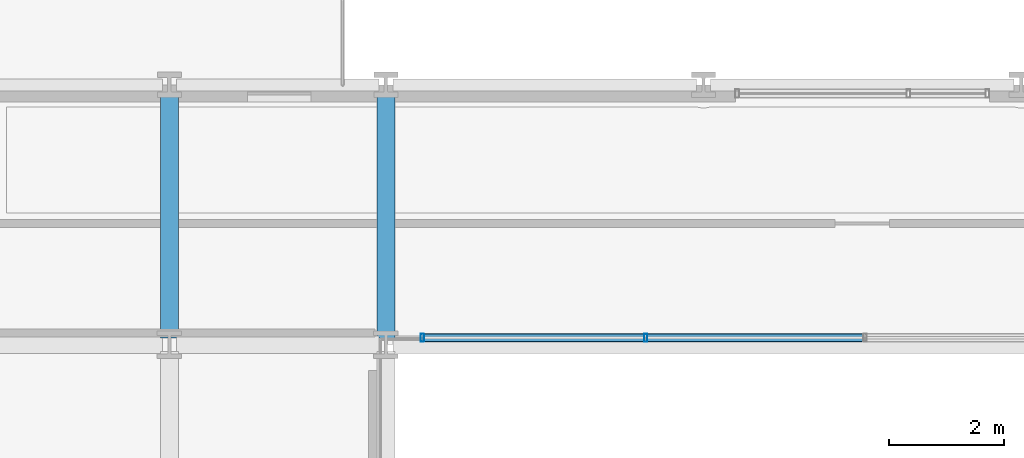
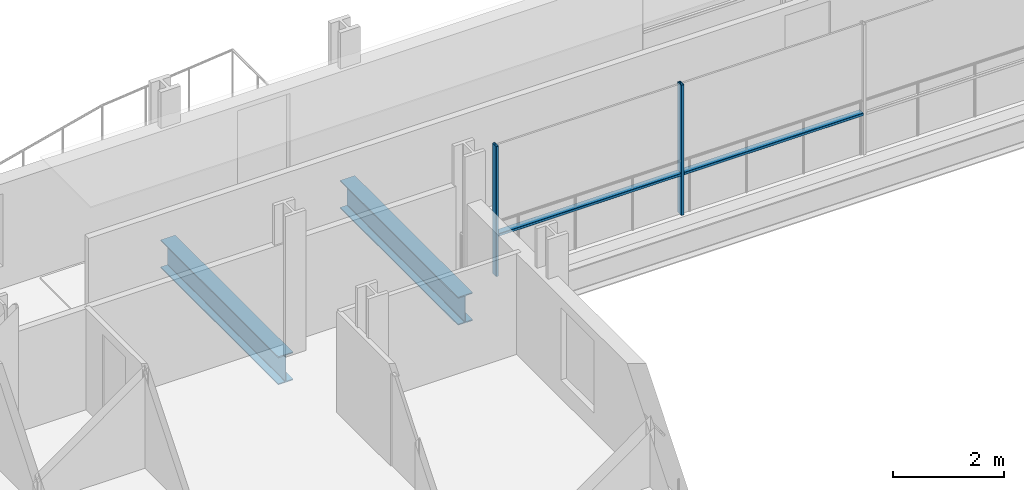
# One storey, part 9 of 41: 4 members, 2 beams, 1 element without a shape of its own.
"""IFC4 building model written with IfcOpenShell, lengths in metres."""

import ifcopenshell
import ifcopenshell.guid

model = None  # the IFC model being written
_history = None  # IfcOwnerHistory: only IFC2X3 demands one
_inside = {}  # id of a spatial element -> (the spatial element, [elements in it])
_under = {}  # id of a project, library or spatial element -> (it, [spatial elements below it])
_declared = {}  # id of a project -> (the project, [libraries it declares])
_typed = {}  # id of a type object -> (the type object, [elements of that type])
_made_of = {}  # id of a material, layer set ... -> (it, [elements and type objects made of it])


def new_model(schema):
    """Start an empty IFC model of exactly this schema.

    Asked for "IFC4X3", IfcOpenShell would pick the latest addendum, in which some entities
    have other attributes; the version numbers below select the first issue.
    IFC2X3 requires an IfcOwnerHistory on every rooted entity: one is made here for all.
    """
    global model, _history
    if schema == "IFC4X3":
        model = ifcopenshell.file(schema_version=(4, 3, 0, 0))
    else:
        model = ifcopenshell.file(schema=schema)
    _inside.clear()
    _under.clear()
    _declared.clear()
    _typed.clear()
    _made_of.clear()
    _history = None
    if model.schema == "IFC2X3":
        org = make("IfcOrganization", Name="unknown")
        user = make(
            "IfcPersonAndOrganization",
            ThePerson=make("IfcPerson", FamilyName="unknown"),
            TheOrganization=org,
        )
        app = make(
            "IfcApplication",
            ApplicationDeveloper=org,
            Version="unknown",
            ApplicationFullName="unknown",
            ApplicationIdentifier="unknown",
        )
        _history = make(
            "IfcOwnerHistory",
            OwningUser=user,
            OwningApplication=app,
            ChangeAction="ADDED",
            CreationDate=0,
        )
    return model


def make(cls, **values):
    """One entity of the class cls with the attributes given. An attribute that is None is left unset."""
    return model.create_entity(
        cls, **{name: value for name, value in values.items() if value is not None}
    )


def rooted(cls, **values):
    """An entity with a GlobalId (a new one), such as an element, a storey or a relation."""
    return make(cls, GlobalId=ifcopenshell.guid.new(), OwnerHistory=_history, **values)


def si_unit(unit_type, name, prefix=None):
    """IfcSIUnit, for example si_unit("LENGTHUNIT", "METRE", prefix="MILLI")."""
    return make("IfcSIUnit", UnitType=unit_type, Prefix=prefix, Name=name)


def assignment(units):
    """IfcUnitAssignment: the units of a project."""
    return None if units is None else make("IfcUnitAssignment", Units=units)


def point(xyz):
    """IfcCartesianPoint."""
    return None if xyz is None else make("IfcCartesianPoint", Coordinates=xyz)


def direction(xyz):
    """IfcDirection."""
    return None if xyz is None else make("IfcDirection", DirectionRatios=xyz)


def frame(location, z_axis=None, x_axis=None):
    """IfcAxis2Placement3D, a coordinate frame: its origin and axes. An axis left out is left unset."""
    return make(
        "IfcAxis2Placement3D",
        Location=point(location),
        Axis=direction(z_axis),
        RefDirection=direction(x_axis),
    )


def frame_2d(location, x_axis=None):
    """IfcAxis2Placement2D, a coordinate frame in the plane: its origin and x axis."""
    return make(
        "IfcAxis2Placement2D", Location=point(location), RefDirection=direction(x_axis)
    )


def origin():
    """The frame at (0, 0, 0) with its axes left unset."""
    return frame((0.0, 0.0, 0.0))


def origin_2d():
    """The frame at (0, 0) in the plane with its x axis left unset."""
    return frame_2d((0.0, 0.0))


def place(relative_to, where):
    """IfcLocalPlacement: puts the frame where relative to a parent placement (None: the world)."""
    return make(
        "IfcLocalPlacement", PlacementRelTo=relative_to, RelativePlacement=where
    )


def context(
    kind, dimensions, precision=None, world=None, true_north=None, identifier=None
):
    """IfcGeometricRepresentationContext, for example the 3D "Model" context."""
    return make(
        "IfcGeometricRepresentationContext",
        ContextIdentifier=identifier,
        ContextType=kind,
        CoordinateSpaceDimension=dimensions,
        Precision=precision,
        WorldCoordinateSystem=world,
        TrueNorth=true_north,
    )


def subcontext(parent, identifier, kind, view, scale=None):
    """IfcGeometricRepresentationSubContext, for example "Body" below "Model"."""
    return make(
        "IfcGeometricRepresentationSubContext",
        ContextIdentifier=identifier,
        ContextType=kind,
        ParentContext=parent,
        TargetScale=scale,
        TargetView=view,
    )


def project(units=None, contexts=None):
    """IfcProject with its units and contexts."""
    return rooted(
        "IfcProject",
        Name="project",
        RepresentationContexts=contexts,
        UnitsInContext=assignment(units),
    )


def spatial(cls, under=None, at=None, **own):
    """A site, building, storey or space (cls), placed at a placement, below another one or the project."""
    s = rooted(cls, ObjectPlacement=at, **own)
    if under is not None:
        _under.setdefault(under.id(), (under, []))[1].append(s)
    return s


def profile(cls, at=None, kind="AREA", **sizes):
    """A parametric profile (cls). Its sizes go by their IFC names, for example OverallWidth=200.0."""
    return make(cls, ProfileType=kind, Position=at, **sizes)


def hollow_rectangle(**sizes):
    """IfcRectangleHollowProfileDef."""
    return profile("IfcRectangleHollowProfileDef", **sizes)


def i_section(**sizes):
    """IfcIShapeProfileDef."""
    return profile("IfcIShapeProfileDef", **sizes)


def extrude(swept, where, along, depth):
    """IfcExtrudedAreaSolid: the profile swept, set in the frame where, extruded along a direction by depth."""
    return make(
        "IfcExtrudedAreaSolid",
        SweptArea=swept,
        Position=where,
        ExtrudedDirection=direction(along),
        Depth=depth,
    )


def shape(context_of_items, identifier, shape_type, items):
    """IfcShapeRepresentation: the items that make up one representation, for example the "Body"."""
    return make(
        "IfcShapeRepresentation",
        ContextOfItems=context_of_items,
        RepresentationIdentifier=identifier,
        RepresentationType=shape_type,
        Items=items,
    )


def material(Name=None, Category=None):
    """IfcMaterial."""
    return make("IfcMaterial", Name=Name, Category=Category)


def layer(
    of_material, thickness, ventilated=None, Name=None, Category=None, Priority=None
):
    """IfcMaterialLayer: one layer of a wall or slab, of a material (None: an air gap)."""
    return make(
        "IfcMaterialLayer",
        Material=of_material,
        LayerThickness=thickness,
        IsVentilated=ventilated,
        Name=Name,
        Category=Category,
        Priority=Priority,
    )


def layer_set(layers, Name=None):
    """IfcMaterialLayerSet."""
    return make("IfcMaterialLayerSet", MaterialLayers=layers, LayerSetName=Name)


def material_profile(
    of_material, cross_section, Name=None, Category=None, Priority=None
):
    """IfcMaterialProfile: a cross section and its material."""
    return make(
        "IfcMaterialProfile",
        Name=Name,
        Material=of_material,
        Profile=cross_section,
        Priority=Priority,
        Category=Category,
    )


def profile_set(profiles, Name=None, composite=None):
    """IfcMaterialProfileSet."""
    return make(
        "IfcMaterialProfileSet",
        Name=Name,
        MaterialProfiles=profiles,
        CompositeProfile=composite,
    )


def made_of(thing, what):
    """Note that an element or type object is made of a material, layer set ...; save() writes the relation."""
    if what is not None:
        _made_of.setdefault(what.id(), (what, []))[1].append(thing)
    return thing


def type_object(cls, material=None, **own):
    """A type object (cls), such as IfcWallType, which elements share."""
    return made_of(rooted(cls, **own), material)


def element(
    cls,
    number,
    at=None,
    inside=None,
    cuts=None,
    type_object=None,
    material=None,
    context=None,
    identifier="Body",
    shape_type=None,
    held_by="IfcProductDefinitionShape",
    body=None,
    shapes=None,
    **own,
):
    """One element of the class cls, such as IfcWall. Its Tag is "e" and its number.

    at: its placement. inside: the storey or other place that contains it. cuts: it is an
    opening in that element (IfcRelVoidsElement). A single representation is given by context,
    identifier, shape_type and body (its items); several are given by shapes. held_by: the class
    of the entity that holds the representations. save() writes the other relations.
    """
    e = rooted(cls, Tag="e%d" % number, ObjectPlacement=at, **own)
    if body is not None:
        shapes = [shape(context, identifier, shape_type, body)]
    if shapes is not None:
        e.Representation = make(held_by, Representations=shapes)
    if inside is not None:
        _inside.setdefault(inside.id(), (inside, []))[1].append(e)
    if cuts is not None:
        rooted(
            "IfcRelVoidsElement", RelatingBuildingElement=cuts, RelatedOpeningElement=e
        )
    if type_object is not None:
        _typed.setdefault(type_object.id(), (type_object, []))[1].append(e)
    return made_of(e, material)


def aggregate(whole, parts):
    """IfcRelAggregates: a whole, such as a stair, and the parts it consists of."""
    return rooted("IfcRelAggregates", RelatingObject=whole, RelatedObjects=parts)


def save(model, path):
    """Write the relations noted so far, then the file.

    IfcRelAggregates (storeys below a building ...), IfcRelContainedInSpatialStructure (elements
    in a storey), IfcRelDefinesByType, IfcRelAssociatesMaterial and IfcRelDeclares: one each for
    every whole, place, type object, material and project.
    """
    for whole, parts in _under.values():
        aggregate(whole, parts)
    for where, things in _inside.values():
        rooted(
            "IfcRelContainedInSpatialStructure",
            RelatedElements=things,
            RelatingStructure=where,
        )
    for kind, things in _typed.values():
        rooted("IfcRelDefinesByType", RelatedObjects=things, RelatingType=kind)
    for what, things in _made_of.values():
        rooted("IfcRelAssociatesMaterial", RelatedObjects=things, RelatingMaterial=what)
    for by, libraries in _declared.values():
        rooted("IfcRelDeclares", RelatingContext=by, RelatedDefinitions=libraries)
    model.write(path)


model = new_model("IFC4")

# Units and contexts
model_context = context("Model", 3, precision=1e-05, world=origin(), true_north=direction((0.0, 1.0)))
body_context = subcontext(model_context, "Body", "Model", "MODEL_VIEW")
ifc_project = project(units=[si_unit("LENGTHUNIT", "METRE"), si_unit("AREAUNIT", "SQUARE_METRE"), si_unit("VOLUMEUNIT", "CUBIC_METRE"), si_unit("PLANEANGLEUNIT", "RADIAN"), si_unit("MASSUNIT", "GRAM", prefix="KILO")], contexts=[model_context])

# Site, building, storey
site_placement = place(None, origin())
site = spatial("IfcSite", under=ifc_project, at=site_placement, CompositionType="ELEMENT")
building_placement = place(site_placement, origin())
building = spatial("IfcBuilding", under=site, at=building_placement, Name="Brevholm Reach", CompositionType="ELEMENT")
storey_placement = place(building_placement, frame((0.0, 0.0, 49.699951171875)))
storey = spatial("IfcBuildingStorey", under=building, at=storey_placement, Name="L13", CompositionType="ELEMENT", Elevation=49.699951171875)

# Beams
ifc_material_1 = material(Name="Structural Steel S355J2", Category="steel")
ifc_material_profile_1 = material_profile(ifc_material_1, i_section(OverallWidth=0.30712890625, OverallDepth=0.6201171875, WebThickness=0.01416015625, FlangeThickness=0.023681640625, FilletRadius=0.0166015625, at=origin_2d()), Name="UKB 610x305x179")
ifc_profile_set_1 = profile_set([ifc_material_profile_1], Name="Structural Steel S355J2")
beam_type = type_object("IfcBeamType", Name="BM-UKB610H", PredefinedType="USERDEFINED", material=ifc_profile_set_1)
for number, where, z_axis, x_axis, name in (
    (1, (18.0, 26.6201171875, -0.5400390625), (0.0, 1.0, 0.0), (-1.0, 0.0, 0.0), "L13 G-06 Framing Beam"),
    (2, (21.75, 26.6201171875, -0.5400390625), (0.0, 1.0, 0.0), (-1.0, 0.0, 0.0), "L13 G-06 Framing Beam"),
):
    element("IfcBeam", number, at=place(storey_placement, frame(where, z_axis=z_axis, x_axis=x_axis)), inside=storey, type_object=beam_type, Name=name, ObjectType="GIRDER", PredefinedType="USERDEFINED", context=body_context, shape_type="SweptSolid", body=[
        extrude(i_section(OverallWidth=0.30712890625, OverallDepth=0.6201171875, WebThickness=0.01416015625, FlangeThickness=0.023681640625, FilletRadius=0.0166015625, at=origin_2d()), origin(), (0.0, 0.0, 1.0), 4.259765625),
    ])

# Curtain wall, members
ifc_material_2 = material(Name="Dark Anodised Aluminium 6063-T6 and Solar-Control Glass", Category="aluminium")
ifc_layer = layer(ifc_material_2, 0.139892578125)
ifc_layer_set = layer_set([ifc_layer], Name="Dark Anodised Aluminium 6063-T6 and Solar-Control Glass")
curtain_wall_type = type_object("IfcCurtainWallType", Name="CW-02", PredefinedType="NOTDEFINED", material=ifc_layer_set)
curtain_wall_placement = place(storey_placement, origin())
curtain_wall = element("IfcCurtainWall", 3, at=curtain_wall_placement, inside=storey, type_object=curtain_wall_type, Name="L13 Curtain Wall CW-02", PredefinedType="NOTDEFINED")
ifc_material_3 = material(Name="Dark Anodised Aluminium 6063-T6", Category="aluminium")
ifc_material_profile_2 = material_profile(ifc_material_3, hollow_rectangle(XDim=0.06005859375, YDim=0.139892578125, WallThickness=0.0048828125, InnerFilletRadius=0.0048828125, OuterFilletRadius=0.010009765625, at=origin_2d()), Name="RHS 140x60x5")
ifc_profile_set_2 = profile_set([ifc_material_profile_2], Name="Dark Anodised Aluminium 6063-T6")
member_type_1 = type_object("IfcMemberType", Name="CWM-140", PredefinedType="MULLION", material=ifc_profile_set_2)
member_1_placement = place(storey_placement, frame((26.25, 26.6201171875, 0.0), z_axis=(0.0, 0.0, 1.0), x_axis=(-1.0, 0.0, 0.0)))
member_1 = element("IfcMember", 4, at=member_1_placement, type_object=member_type_1, Name="CM-140 Mullion 4", PredefinedType="MULLION", context=body_context, shape_type="SweptSolid", body=[
    extrude(hollow_rectangle(XDim=0.06005859375, YDim=0.139892578125, WallThickness=0.0048828125, InnerFilletRadius=0.0048828125, OuterFilletRadius=0.010009765625, at=origin_2d()), origin(), (0.0, 0.0, 1.0), 2.8701171875),
])
member_2_placement = place(storey_placement, frame((22.3798828125, 26.6201171875, 0.0), z_axis=(0.0, 0.0, 1.0), x_axis=(-1.0, 0.0, 0.0)))
member_2 = element("IfcMember", 5, at=member_2_placement, type_object=member_type_1, Name="CM-140 Mullion 5", PredefinedType="MULLION", context=body_context, shape_type="SweptSolid", body=[
    extrude(hollow_rectangle(XDim=0.06005859375, YDim=0.139892578125, WallThickness=0.0048828125, InnerFilletRadius=0.0048828125, OuterFilletRadius=0.010009765625, at=origin_2d()), origin(), (0.0, 0.0, 1.0), 2.8701171875),
])
ifc_material_4 = material(Name="Dark Anodised Aluminium 6063-T6", Category="aluminium")
ifc_material_profile_3 = material_profile(ifc_material_4, hollow_rectangle(XDim=0.06005859375, YDim=0.139892578125, WallThickness=0.0048828125, InnerFilletRadius=0.0048828125, OuterFilletRadius=0.010009765625, at=origin_2d()), Name="RHS 140x60x5")
ifc_profile_set_3 = profile_set([ifc_material_profile_3], Name="Dark Anodised Aluminium 6063-T6")
member_type_2 = type_object("IfcMemberType", Name="CWT-140", PredefinedType="NOTDEFINED", material=ifc_profile_set_3)
member_3_placement = place(storey_placement, frame((30.02001953125, 26.6201171875, 0.900146484375), z_axis=(-1.0, 0.0, 0.0), x_axis=(0.0, 0.0, 1.0)))
member_3 = element("IfcMember", 6, at=member_3_placement, type_object=member_type_2, Name="CT-140 Transom 3.1", ObjectType="TRANSOM", PredefinedType="USERDEFINED", context=body_context, shape_type="SweptSolid", body=[
    extrude(hollow_rectangle(XDim=0.06005859375, YDim=0.139892578125, WallThickness=0.0048828125, InnerFilletRadius=0.0048828125, OuterFilletRadius=0.010009765625, at=origin_2d()), origin(), (0.0, 0.0, 1.0), 3.739990234375),
])
member_4_placement = place(storey_placement, frame((26.219970703125, 26.6201171875, 0.900146484375), z_axis=(-1.0, 0.0, 0.0), x_axis=(0.0, 0.0, 1.0)))
member_4 = element("IfcMember", 7, at=member_4_placement, type_object=member_type_2, Name="CT-140 Transom 4.1", ObjectType="TRANSOM", PredefinedType="USERDEFINED", context=body_context, shape_type="SweptSolid", body=[
    extrude(hollow_rectangle(XDim=0.06005859375, YDim=0.139892578125, WallThickness=0.0048828125, InnerFilletRadius=0.0048828125, OuterFilletRadius=0.010009765625, at=origin_2d()), origin(), (0.0, 0.0, 1.0), 3.81005859375),
])
aggregate(curtain_wall, [member_1, member_2, member_3, member_4])

save(model, "model.ifc")
